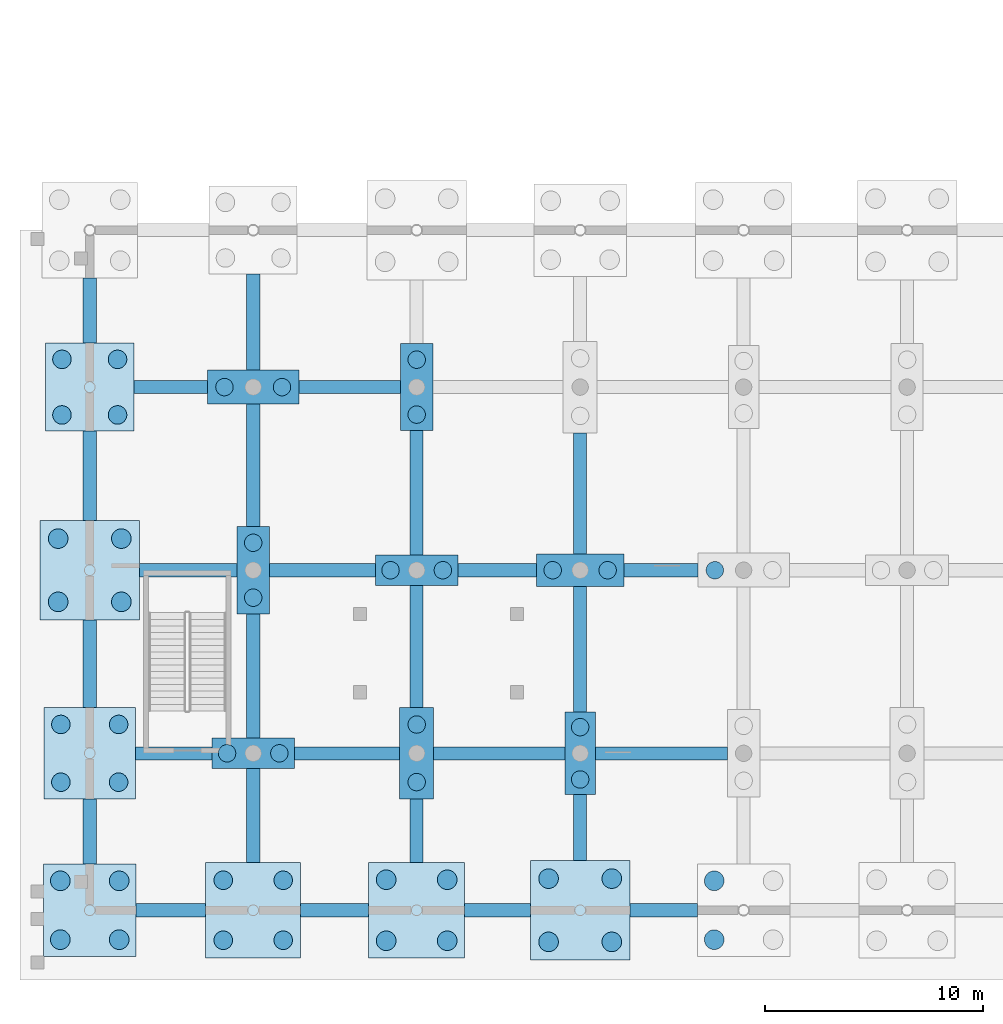
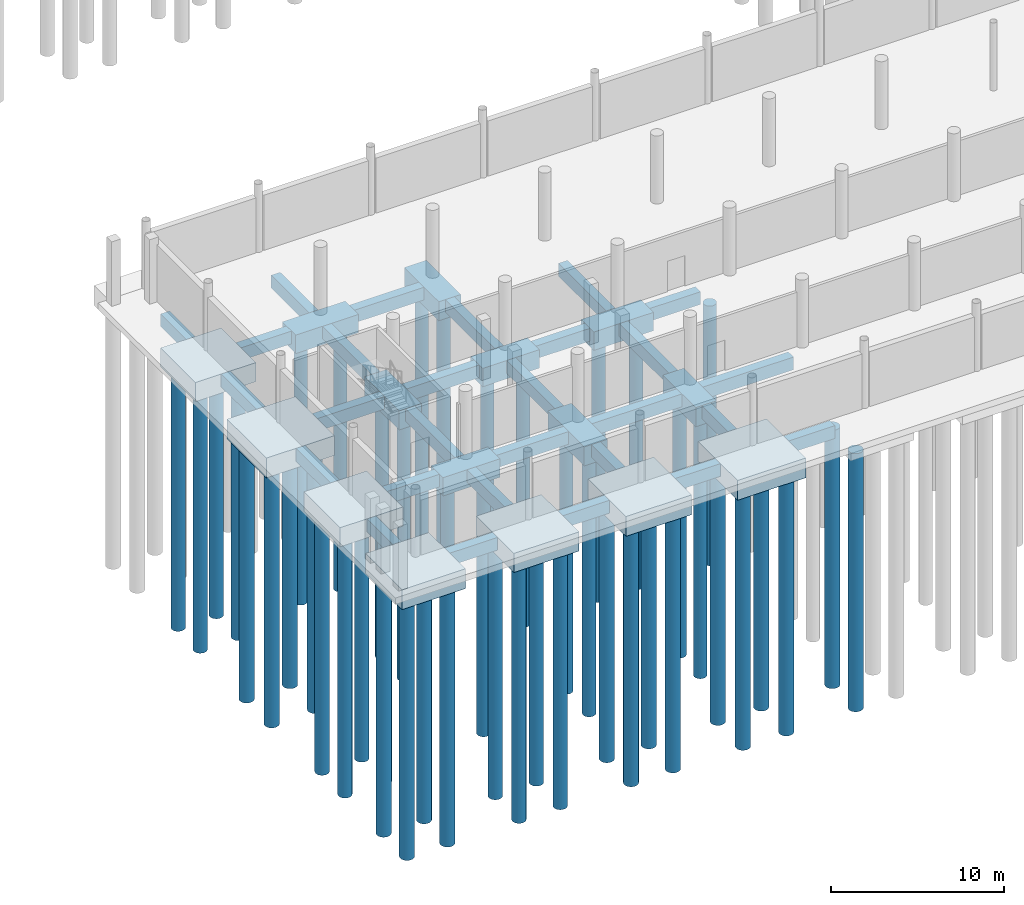
# One storey, part 1 of 44: 47 piles, 43 footings.
"""IFC4 building model written with IfcOpenShell, lengths in metres."""

from ifc_helpers import new_model, si_unit, direction, frame, origin, origin_2d, place, context, subcontext, project, spatial, polyline, rectangle, circle, outline, extrude, material, material_profile, profile_set, type_object, element, save


model = new_model("IFC4")

# Units and contexts
model_context = context("Model", 3, precision=1e-05, world=origin(), true_north=direction((0.0, 1.0)))
body_context = subcontext(model_context, "Body", "Model", "MODEL_VIEW")
ifc_project = project(units=[si_unit("LENGTHUNIT", "METRE"), si_unit("AREAUNIT", "SQUARE_METRE"), si_unit("VOLUMEUNIT", "CUBIC_METRE"), si_unit("PLANEANGLEUNIT", "RADIAN"), si_unit("MASSUNIT", "GRAM", prefix="KILO")], contexts=[model_context])

# Site, building, storey
site_placement = place(None, origin())
site = spatial("IfcSite", under=ifc_project, at=site_placement, CompositionType="ELEMENT")
building_placement = place(site_placement, origin())
building = spatial("IfcBuilding", under=site, at=building_placement, Name="Yukiwa Park Conservatory and Herbarium", CompositionType="ELEMENT")
storey_placement = place(building_placement, frame((0.0, 0.0, -4.800048828125)))
storey = spatial("IfcBuildingStorey", under=building, at=storey_placement, Name="B1", CompositionType="ELEMENT", Elevation=-4.800048828125)

# Footings
ifc_material_1 = material(Name="Concrete C35", Category="concrete")
footing_type_1 = type_object("IfcFootingType", Name="FT-BEAM-600X900", PredefinedType="FOOTING_BEAM", material=ifc_material_1)
footing_1_placement = place(storey_placement, frame((0.0, 0.0, -1.349853515625)))
element("IfcFooting", 1, at=footing_1_placement, inside=storey, type_object=footing_type_1, Name="Foundation tie beam X-1", PredefinedType="FOOTING_BEAM", context=body_context, shape_type="SweptSolid", body=[
    extrude(outline(polyline([(2.1201171875, -0.300048828125), (5.320068359375, -0.300048828125), (5.320068359375, 0.300048828125), (2.1201171875, 0.300048828125), (2.1201171875, -0.300048828125)])), origin(), (0.0, 0.0, 1.0), 0.89990234375),
])
footing_2_placement = place(storey_placement, frame((0.0, 0.0, -1.349853515625)))
element("IfcFooting", 2, at=footing_2_placement, inside=storey, type_object=footing_type_1, Name="Foundation tie beam X-2", PredefinedType="FOOTING_BEAM", context=body_context, shape_type="SweptSolid", body=[
    extrude(outline(polyline([(9.679931640625, -0.300048828125), (12.800048828125, -0.300048828125), (12.800048828125, 0.300048828125), (9.679931640625, 0.300048828125), (9.679931640625, -0.300048828125)])), origin(), (0.0, 0.0, 1.0), 0.89990234375),
])
footing_3_placement = place(storey_placement, frame((0.0, 0.0, -1.349853515625)))
element("IfcFooting", 3, at=footing_3_placement, inside=storey, type_object=footing_type_1, Name="Foundation tie beam X-3", PredefinedType="FOOTING_BEAM", context=body_context, shape_type="SweptSolid", body=[
    extrude(outline(polyline([(17.199951171875, -0.300048828125), (20.219970703125, -0.300048828125), (20.219970703125, 0.300048828125), (17.199951171875, 0.300048828125), (17.199951171875, -0.300048828125)])), origin(), (0.0, 0.0, 1.0), 0.89990234375),
])
footing_4_placement = place(storey_placement, frame((0.0, 0.0, -1.349853515625)))
element("IfcFooting", 4, at=footing_4_placement, inside=storey, type_object=footing_type_1, Name="Foundation tie beam X-4", PredefinedType="FOOTING_BEAM", context=body_context, shape_type="SweptSolid", body=[
    extrude(outline(polyline([(24.780029296875, -0.300048828125), (27.8798828125, -0.300048828125), (27.8798828125, 0.300048828125), (24.780029296875, 0.300048828125), (24.780029296875, -0.300048828125)])), origin(), (0.0, 0.0, 1.0), 0.89990234375),
])
footing_5_placement = place(storey_placement, frame((0.0, 0.0, -1.349853515625)))
element("IfcFooting", 5, at=footing_5_placement, inside=storey, type_object=footing_type_1, Name="Foundation tie beam X-9", PredefinedType="FOOTING_BEAM", context=body_context, shape_type="SweptSolid", body=[
    extrude(outline(polyline([(2.10009765625, 6.89990234375), (5.60009765625, 6.89990234375), (5.60009765625, 7.5), (2.10009765625, 7.5), (2.10009765625, 6.89990234375)])), origin(), (0.0, 0.0, 1.0), 0.89990234375),
])
footing_6_placement = place(storey_placement, frame((0.0, 0.0, -1.349853515625)))
element("IfcFooting", 6, at=footing_6_placement, inside=storey, type_object=footing_type_1, Name="Foundation tie beam X-10", PredefinedType="FOOTING_BEAM", context=body_context, shape_type="SweptSolid", body=[
    extrude(outline(polyline([(9.39990234375, 6.89990234375), (14.219970703125, 6.89990234375), (14.219970703125, 7.5), (9.39990234375, 7.5), (9.39990234375, 6.89990234375)])), origin(), (0.0, 0.0, 1.0), 0.89990234375),
])
footing_7_placement = place(storey_placement, frame((0.0, 0.0, -1.349853515625)))
element("IfcFooting", 7, at=footing_7_placement, inside=storey, type_object=footing_type_1, Name="Foundation tie beam X-11", PredefinedType="FOOTING_BEAM", context=body_context, shape_type="SweptSolid", body=[
    extrude(outline(polyline([(15.780029296875, 6.89990234375), (21.800048828125, 6.89990234375), (21.800048828125, 7.5), (15.780029296875, 7.5), (15.780029296875, 6.89990234375)])), origin(), (0.0, 0.0, 1.0), 0.89990234375),
])
footing_8_placement = place(storey_placement, frame((0.0, 0.0, -1.349853515625)))
element("IfcFooting", 8, at=footing_8_placement, inside=storey, type_object=footing_type_1, Name="Foundation tie beam X-12", PredefinedType="FOOTING_BEAM", context=body_context, shape_type="SweptSolid", body=[
    extrude(outline(polyline([(23.199951171875, 6.89990234375), (29.260009765625, 6.89990234375), (29.260009765625, 7.5), (23.199951171875, 7.5), (23.199951171875, 6.89990234375)])), origin(), (0.0, 0.0, 1.0), 0.89990234375),
])
footing_9_placement = place(storey_placement, frame((0.0, 0.0, -1.349853515625)))
element("IfcFooting", 9, at=footing_9_placement, inside=storey, type_object=footing_type_1, Name="Foundation tie beam X-17", PredefinedType="FOOTING_BEAM", context=body_context, shape_type="SweptSolid", body=[
    extrude(outline(polyline([(2.280029296875, 15.300048828125), (6.760009765625, 15.300048828125), (6.760009765625, 15.89990234375), (2.280029296875, 15.89990234375), (2.280029296875, 15.300048828125)])), origin(), (0.0, 0.0, 1.0), 0.89990234375),
])
footing_10_placement = place(storey_placement, frame((0.0, 0.0, -1.349853515625)))
element("IfcFooting", 10, at=footing_10_placement, inside=storey, type_object=footing_type_1, Name="Foundation tie beam X-18", PredefinedType="FOOTING_BEAM", context=body_context, shape_type="SweptSolid", body=[
    extrude(outline(polyline([(8.239990234375, 15.300048828125), (13.10009765625, 15.300048828125), (13.10009765625, 15.89990234375), (8.239990234375, 15.89990234375), (8.239990234375, 15.300048828125)])), origin(), (0.0, 0.0, 1.0), 0.89990234375),
])
footing_11_placement = place(storey_placement, frame((0.0, 0.0, -1.349853515625)))
element("IfcFooting", 11, at=footing_11_placement, inside=storey, type_object=footing_type_1, Name="Foundation tie beam X-19", PredefinedType="FOOTING_BEAM", context=body_context, shape_type="SweptSolid", body=[
    extrude(outline(polyline([(16.89990234375, 15.300048828125), (20.5, 15.300048828125), (20.5, 15.89990234375), (16.89990234375, 15.89990234375), (16.89990234375, 15.300048828125)])), origin(), (0.0, 0.0, 1.0), 0.89990234375),
])
footing_12_placement = place(storey_placement, frame((0.0, 0.0, -1.349853515625)))
element("IfcFooting", 12, at=footing_12_placement, inside=storey, type_object=footing_type_1, Name="Foundation tie beam X-20", PredefinedType="FOOTING_BEAM", context=body_context, shape_type="SweptSolid", body=[
    extrude(outline(polyline([(24.5, 15.300048828125), (27.89990234375, 15.300048828125), (27.89990234375, 15.89990234375), (24.5, 15.89990234375), (24.5, 15.300048828125)])), origin(), (0.0, 0.0, 1.0), 0.89990234375),
])
footing_13_placement = place(storey_placement, frame((0.0, 0.0, -1.349853515625)))
element("IfcFooting", 13, at=footing_13_placement, inside=storey, type_object=footing_type_1, Name="Foundation tie beam X-31", PredefinedType="FOOTING_BEAM", context=body_context, shape_type="SweptSolid", body=[
    extrude(outline(polyline([(2.02001953125, 23.699951171875), (5.39990234375, 23.699951171875), (5.39990234375, 24.300048828125), (2.02001953125, 24.300048828125), (2.02001953125, 23.699951171875)])), origin(), (0.0, 0.0, 1.0), 0.89990234375),
])
footing_14_placement = place(storey_placement, frame((0.0, 0.0, -1.349853515625)))
element("IfcFooting", 14, at=footing_14_placement, inside=storey, type_object=footing_type_1, Name="Foundation tie beam X-32", PredefinedType="FOOTING_BEAM", context=body_context, shape_type="SweptSolid", body=[
    extrude(outline(polyline([(9.60009765625, 23.699951171875), (14.260009765625, 23.699951171875), (14.260009765625, 24.300048828125), (9.60009765625, 24.300048828125), (9.60009765625, 23.699951171875)])), origin(), (0.0, 0.0, 1.0), 0.89990234375),
])
footing_15_placement = place(storey_placement, frame((0.0, 0.0, -1.349853515625)))
element("IfcFooting", 15, at=footing_15_placement, inside=storey, type_object=footing_type_1, Name="Foundation tie beam Y-160", PredefinedType="FOOTING_BEAM", context=body_context, shape_type="SweptSolid", body=[
    extrude(outline(polyline([(-0.300048828125, 2.1201171875), (0.300048828125, 2.1201171875), (0.300048828125, 5.10009765625), (-0.300048828125, 5.10009765625), (-0.300048828125, 2.1201171875)])), origin(), (0.0, 0.0, 1.0), 0.89990234375),
])
footing_16_placement = place(storey_placement, frame((0.0, 0.0, -1.349853515625)))
element("IfcFooting", 16, at=footing_16_placement, inside=storey, type_object=footing_type_1, Name="Foundation tie beam Y-161", PredefinedType="FOOTING_BEAM", context=body_context, shape_type="SweptSolid", body=[
    extrude(outline(polyline([(-0.300048828125, 9.300048828125), (0.300048828125, 9.300048828125), (0.300048828125, 13.320068359375), (-0.300048828125, 13.320068359375), (-0.300048828125, 9.300048828125)])), origin(), (0.0, 0.0, 1.0), 0.89990234375),
])
footing_17_placement = place(storey_placement, frame((0.0, 0.0, -1.349853515625)))
element("IfcFooting", 17, at=footing_17_placement, inside=storey, type_object=footing_type_1, Name="Foundation tie beam Y-162", PredefinedType="FOOTING_BEAM", context=body_context, shape_type="SweptSolid", body=[
    extrude(outline(polyline([(-0.300048828125, 17.8798828125), (0.300048828125, 17.8798828125), (0.300048828125, 21.97998046875), (-0.300048828125, 21.97998046875), (-0.300048828125, 17.8798828125)])), origin(), (0.0, 0.0, 1.0), 0.89990234375),
])
footing_18_placement = place(storey_placement, frame((0.0, 0.0, -1.349853515625)))
element("IfcFooting", 18, at=footing_18_placement, inside=storey, type_object=footing_type_1, Name="Foundation tie beam Y-163", PredefinedType="FOOTING_BEAM", context=body_context, shape_type="SweptSolid", body=[
    extrude(outline(polyline([(-0.300048828125, 26.02001953125), (0.300048828125, 26.02001953125), (0.300048828125, 29.0), (-0.300048828125, 29.0), (-0.300048828125, 26.02001953125)])), origin(), (0.0, 0.0, 1.0), 0.89990234375),
])
footing_19_placement = place(storey_placement, frame((0.0, 0.0, -1.349853515625)))
element("IfcFooting", 19, at=footing_19_placement, inside=storey, type_object=footing_type_1, Name="Foundation tie beam Y-164", PredefinedType="FOOTING_BEAM", context=body_context, shape_type="SweptSolid", body=[
    extrude(outline(polyline([(7.199951171875, 2.179931640625), (7.800048828125, 2.179931640625), (7.800048828125, 6.5), (7.199951171875, 6.5), (7.199951171875, 2.179931640625)])), origin(), (0.0, 0.0, 1.0), 0.89990234375),
])
footing_20_placement = place(storey_placement, frame((0.0, 0.0, -1.349853515625)))
element("IfcFooting", 20, at=footing_20_placement, inside=storey, type_object=footing_type_1, Name="Foundation tie beam Y-165", PredefinedType="FOOTING_BEAM", context=body_context, shape_type="SweptSolid", body=[
    extrude(outline(polyline([(7.199951171875, 7.89990234375), (7.800048828125, 7.89990234375), (7.800048828125, 13.60009765625), (7.199951171875, 13.60009765625), (7.199951171875, 7.89990234375)])), origin(), (0.0, 0.0, 1.0), 0.89990234375),
])
footing_21_placement = place(storey_placement, frame((0.0, 0.0, -1.349853515625)))
element("IfcFooting", 21, at=footing_21_placement, inside=storey, type_object=footing_type_1, Name="Foundation tie beam Y-166", PredefinedType="FOOTING_BEAM", context=body_context, shape_type="SweptSolid", body=[
    extrude(outline(polyline([(7.199951171875, 17.60009765625), (7.800048828125, 17.60009765625), (7.800048828125, 23.219970703125), (7.199951171875, 23.219970703125), (7.199951171875, 17.60009765625)])), origin(), (0.0, 0.0, 1.0), 0.89990234375),
])
footing_22_placement = place(storey_placement, frame((0.0, 0.0, -1.349853515625)))
element("IfcFooting", 22, at=footing_22_placement, inside=storey, type_object=footing_type_1, Name="Foundation tie beam Y-167", PredefinedType="FOOTING_BEAM", context=body_context, shape_type="SweptSolid", body=[
    extrude(outline(polyline([(7.199951171875, 24.780029296875), (7.800048828125, 24.780029296875), (7.800048828125, 29.179931640625), (7.199951171875, 29.179931640625), (7.199951171875, 24.780029296875)])), origin(), (0.0, 0.0, 1.0), 0.89990234375),
])
footing_23_placement = place(storey_placement, frame((0.0, 0.0, -1.349853515625)))
element("IfcFooting", 23, at=footing_23_placement, inside=storey, type_object=footing_type_1, Name="Foundation tie beam Y-168", PredefinedType="FOOTING_BEAM", context=body_context, shape_type="SweptSolid", body=[
    extrude(outline(polyline([(14.699951171875, 2.199951171875), (15.300048828125, 2.199951171875), (15.300048828125, 5.10009765625), (14.699951171875, 5.10009765625), (14.699951171875, 2.199951171875)])), origin(), (0.0, 0.0, 1.0), 0.89990234375),
])
footing_24_placement = place(storey_placement, frame((0.0, 0.0, -1.349853515625)))
element("IfcFooting", 24, at=footing_24_placement, inside=storey, type_object=footing_type_1, Name="Foundation tie beam Y-169", PredefinedType="FOOTING_BEAM", context=body_context, shape_type="SweptSolid", body=[
    extrude(outline(polyline([(14.699951171875, 9.300048828125), (15.300048828125, 9.300048828125), (15.300048828125, 14.89990234375), (14.699951171875, 14.89990234375), (14.699951171875, 9.300048828125)])), origin(), (0.0, 0.0, 1.0), 0.89990234375),
])
footing_25_placement = place(storey_placement, frame((0.0, 0.0, -1.349853515625)))
element("IfcFooting", 25, at=footing_25_placement, inside=storey, type_object=footing_type_1, Name="Foundation tie beam Y-170", PredefinedType="FOOTING_BEAM", context=body_context, shape_type="SweptSolid", body=[
    extrude(outline(polyline([(14.699951171875, 16.300048828125), (15.300048828125, 16.300048828125), (15.300048828125, 22.0), (14.699951171875, 22.0), (14.699951171875, 16.300048828125)])), origin(), (0.0, 0.0, 1.0), 0.89990234375),
])
footing_26_placement = place(storey_placement, frame((0.0, 0.0, -1.349853515625)))
element("IfcFooting", 26, at=footing_26_placement, inside=storey, type_object=footing_type_1, Name="Foundation tie beam Y-176", PredefinedType="FOOTING_BEAM", context=body_context, shape_type="SweptSolid", body=[
    extrude(outline(polyline([(22.199951171875, 2.280029296875), (22.800048828125, 2.280029296875), (22.800048828125, 5.300048828125), (22.199951171875, 5.300048828125), (22.199951171875, 2.280029296875)])), origin(), (0.0, 0.0, 1.0), 0.89990234375),
])
footing_27_placement = place(storey_placement, frame((0.0, 0.0, -1.349853515625)))
element("IfcFooting", 27, at=footing_27_placement, inside=storey, type_object=footing_type_1, Name="Foundation tie beam Y-177", PredefinedType="FOOTING_BEAM", context=body_context, shape_type="SweptSolid", body=[
    extrude(outline(polyline([(22.199951171875, 9.10009765625), (22.800048828125, 9.10009765625), (22.800048828125, 14.860107421875), (22.199951171875, 14.860107421875), (22.199951171875, 9.10009765625)])), origin(), (0.0, 0.0, 1.0), 0.89990234375),
])
footing_28_placement = place(storey_placement, frame((0.0, 0.0, -1.349853515625)))
element("IfcFooting", 28, at=footing_28_placement, inside=storey, type_object=footing_type_1, Name="Foundation tie beam Y-178", PredefinedType="FOOTING_BEAM", context=body_context, shape_type="SweptSolid", body=[
    extrude(outline(polyline([(22.199951171875, 16.340087890625), (22.800048828125, 16.340087890625), (22.800048828125, 21.89990234375), (22.199951171875, 21.89990234375), (22.199951171875, 16.340087890625)])), origin(), (0.0, 0.0, 1.0), 0.89990234375),
])
ifc_material_2 = material(Name="Concrete C35", Category="concrete")
footing_type_2 = type_object("IfcFootingType", Name="FT-PC-1400X3800X1350", PredefinedType="PILE_CAP", material=ifc_material_2)
footing_29_placement = place(storey_placement, frame((22.5, 7.199951171875, -1.800048828125), z_axis=(0.0, 0.0, 1.0), x_axis=(1.0, 0.0, 0.0)))
element("IfcFooting", 29, at=footing_29_placement, inside=storey, type_object=footing_type_2, Name="Reinforced concrete pile cap 22", PredefinedType="PILE_CAP", context=body_context, shape_type="SweptSolid", body=[
    extrude(rectangle(XDim=1.39990234375, YDim=3.800048828125, at=origin_2d()), origin(), (0.0, 0.0, 1.0), 1.35009765625),
])
ifc_material_3 = material(Name="Concrete C35", Category="concrete")
footing_type_3 = type_object("IfcFootingType", Name="FT-PC-1480X4000X1350", PredefinedType="PILE_CAP", material=ifc_material_3)
for number, where, z_axis, x_axis, name in (
    (30, (7.5, 15.60009765625, -1.800048828125), (0.0, 0.0, 1.0), (1.0, 0.0, 0.0), "Reinforced concrete pile cap 8"),
    (31, (15.0, 24.0, -1.800048828125), (0.0, 0.0, 1.0), (1.0, 0.0, 0.0), "Reinforced concrete pile cap 14"),
):
    element("IfcFooting", number, at=place(storey_placement, frame(where, z_axis=z_axis, x_axis=x_axis)), inside=storey, type_object=footing_type_3, Name=name, PredefinedType="PILE_CAP", context=body_context, shape_type="SweptSolid", body=[
        extrude(rectangle(XDim=1.47998046875, YDim=4.0, at=origin_2d()), origin(), (0.0, 0.0, 1.0), 1.35009765625),
    ])
ifc_material_4 = material(Name="Concrete C35", Category="concrete")
footing_type_4 = type_object("IfcFootingType", Name="FT-PC-1560X4200X1350", PredefinedType="PILE_CAP", material=ifc_material_4)
footing_30_placement = place(storey_placement, frame((15.0, 7.199951171875, -1.800048828125), z_axis=(0.0, 0.0, 1.0), x_axis=(1.0, 0.0, 0.0)))
element("IfcFooting", 32, at=footing_30_placement, inside=storey, type_object=footing_type_4, Name="Reinforced concrete pile cap 12", PredefinedType="PILE_CAP", context=body_context, shape_type="SweptSolid", body=[
    extrude(rectangle(XDim=1.56005859375, YDim=4.199951171875, at=origin_2d()), origin(), (0.0, 0.0, 1.0), 1.35009765625),
])
ifc_material_5 = material(Name="Concrete C35", Category="concrete")
footing_type_5 = type_object("IfcFootingType", Name="FT-PC-3800X1400X1300", PredefinedType="PILE_CAP", material=ifc_material_5)
for number, where, z_axis, x_axis, name in (
    (33, (7.5, 7.199951171875, -1.75), (0.0, 0.0, 1.0), (1.0, 0.0, 0.0), "Reinforced concrete pile cap 7"),
    (34, (15.0, 15.60009765625, -1.75), (0.0, 0.0, 1.0), (1.0, 0.0, 0.0), "Reinforced concrete pile cap 13"),
):
    element("IfcFooting", number, at=place(storey_placement, frame(where, z_axis=z_axis, x_axis=x_axis)), inside=storey, type_object=footing_type_5, Name=name, PredefinedType="PILE_CAP", context=body_context, shape_type="SweptSolid", body=[
        extrude(rectangle(XDim=3.800048828125, YDim=1.39990234375, at=origin_2d()), origin(), (0.0, 0.0, 1.0), 1.300048828125),
    ])
ifc_material_6 = material(Name="Concrete C35", Category="concrete")
footing_type_6 = type_object("IfcFootingType", Name="FT-PC-4000X1480X1300", PredefinedType="PILE_CAP", material=ifc_material_6)
footing_31_placement = place(storey_placement, frame((22.5, 15.60009765625, -1.75), z_axis=(0.0, 0.0, 1.0), x_axis=(1.0, 0.0, 0.0)))
element("IfcFooting", 35, at=footing_31_placement, inside=storey, type_object=footing_type_6, Name="Reinforced concrete pile cap 23", PredefinedType="PILE_CAP", context=body_context, shape_type="SweptSolid", body=[
    extrude(rectangle(XDim=4.0, YDim=1.47998046875, at=origin_2d()), origin(), (0.0, 0.0, 1.0), 1.300048828125),
])
ifc_material_7 = material(Name="Concrete C35", Category="concrete")
footing_type_7 = type_object("IfcFootingType", Name="FT-PC-4040X4040X1350", PredefinedType="PILE_CAP", material=ifc_material_7)
footing_32_placement = place(storey_placement, frame((0.0, 24.0, -1.800048828125), z_axis=(0.0, 0.0, 1.0), x_axis=(1.0, 0.0, 0.0)))
element("IfcFooting", 36, at=footing_32_placement, inside=storey, type_object=footing_type_7, Name="Reinforced concrete pile cap 4", PredefinedType="PILE_CAP", context=body_context, shape_type="SweptSolid", body=[
    extrude(rectangle(XDim=4.0400390625, YDim=4.0400390625, at=origin_2d()), origin(), (0.0, 0.0, 1.0), 1.35009765625),
])
ifc_material_8 = material(Name="Concrete C35", Category="concrete")
footing_type_8 = type_object("IfcFootingType", Name="FT-PC-4200X1560X1300", PredefinedType="PILE_CAP", material=ifc_material_8)
footing_33_placement = place(storey_placement, frame((7.5, 24.0, -1.75), z_axis=(0.0, 0.0, 1.0), x_axis=(1.0, 0.0, 0.0)))
element("IfcFooting", 37, at=footing_33_placement, inside=storey, type_object=footing_type_8, Name="Reinforced concrete pile cap 9", PredefinedType="PILE_CAP", context=body_context, shape_type="SweptSolid", body=[
    extrude(rectangle(XDim=4.199951171875, YDim=1.56005859375, at=origin_2d()), origin(), (0.0, 0.0, 1.0), 1.300048828125),
])
ifc_material_9 = material(Name="Concrete C35", Category="concrete")
footing_type_9 = type_object("IfcFootingType", Name="FT-PC-4200X4200X1350", PredefinedType="PILE_CAP", material=ifc_material_9)
footing_34_placement = place(storey_placement, frame((0.0, 7.199951171875, -1.800048828125), z_axis=(0.0, 0.0, 1.0), x_axis=(1.0, 0.0, 0.0)))
element("IfcFooting", 38, at=footing_34_placement, inside=storey, type_object=footing_type_9, Name="Reinforced concrete pile cap 2", PredefinedType="PILE_CAP", context=body_context, shape_type="SweptSolid", body=[
    extrude(rectangle(XDim=4.199951171875, YDim=4.199951171875, at=origin_2d()), origin(), (0.0, 0.0, 1.0), 1.35009765625),
])
ifc_material_10 = material(Name="Concrete C35", Category="concrete")
footing_type_10 = type_object("IfcFootingType", Name="FT-PC-4240X4240X1400", PredefinedType="PILE_CAP", material=ifc_material_10)
footing_35_placement = place(storey_placement, frame((0.0, 0.0, -1.849853515625), z_axis=(0.0, 0.0, 1.0), x_axis=(1.0, 0.0, 0.0)))
element("IfcFooting", 39, at=footing_35_placement, inside=storey, type_object=footing_type_10, Name="Reinforced concrete pile cap 1", PredefinedType="PILE_CAP", context=body_context, shape_type="SweptSolid", body=[
    extrude(rectangle(XDim=4.239990234375, YDim=4.239990234375, at=origin_2d()), origin(), (0.0, 0.0, 1.0), 1.39990234375),
])
ifc_material_11 = material(Name="Concrete C35", Category="concrete")
footing_type_11 = type_object("IfcFootingType", Name="FT-PC-4360X4360X1350", PredefinedType="PILE_CAP", material=ifc_material_11)
footing_36_placement = place(storey_placement, frame((7.5, 0.0, -1.800048828125), z_axis=(0.0, 0.0, 1.0), x_axis=(1.0, 0.0, 0.0)))
element("IfcFooting", 40, at=footing_36_placement, inside=storey, type_object=footing_type_11, Name="Reinforced concrete pile cap 6", PredefinedType="PILE_CAP", context=body_context, shape_type="SweptSolid", body=[
    extrude(rectangle(XDim=4.360107421875, YDim=4.360107421875, at=origin_2d()), origin(), (0.0, 0.0, 1.0), 1.35009765625),
])
ifc_material_12 = material(Name="Concrete C35", Category="concrete")
footing_type_12 = type_object("IfcFootingType", Name="FT-PC-4400X4400X1400", PredefinedType="PILE_CAP", material=ifc_material_12)
footing_37_placement = place(storey_placement, frame((15.0, 0.0, -1.849853515625), z_axis=(0.0, 0.0, 1.0), x_axis=(1.0, 0.0, 0.0)))
element("IfcFooting", 41, at=footing_37_placement, inside=storey, type_object=footing_type_12, Name="Reinforced concrete pile cap 11", PredefinedType="PILE_CAP", context=body_context, shape_type="SweptSolid", body=[
    extrude(rectangle(XDim=4.39990234375, YDim=4.39990234375, at=origin_2d()), origin(), (0.0, 0.0, 1.0), 1.39990234375),
])
ifc_material_13 = material(Name="Concrete C35", Category="concrete")
footing_type_13 = type_object("IfcFootingType", Name="FT-PC-4560X4560X1400", PredefinedType="PILE_CAP", material=ifc_material_13)
for number, where, z_axis, x_axis, name in (
    (42, (0.0, 15.60009765625, -1.849853515625), (0.0, 0.0, 1.0), (1.0, 0.0, 0.0), "Reinforced concrete pile cap 3"),
    (43, (22.5, 0.0, -1.849853515625), (0.0, 0.0, 1.0), (1.0, 0.0, 0.0), "Reinforced concrete pile cap 21"),
):
    element("IfcFooting", number, at=place(storey_placement, frame(where, z_axis=z_axis, x_axis=x_axis)), inside=storey, type_object=footing_type_13, Name=name, PredefinedType="PILE_CAP", context=body_context, shape_type="SweptSolid", body=[
        extrude(rectangle(XDim=4.56005859375, YDim=4.56005859375, at=origin_2d()), origin(), (0.0, 0.0, 1.0), 1.39990234375),
    ])

# Piles
ifc_material_14 = material(Name="Concrete C35", Category="concrete")
ifc_material_profile_1 = material_profile(ifc_material_14, circle(Radius=0.39990234375, at=origin_2d()), Name="PILE D800")
ifc_profile_set_1 = profile_set([ifc_material_profile_1], Name="Concrete C35")
pile_type_1 = type_object("IfcPileType", Name="PL-BORED-D800", PredefinedType="BORED", material=ifc_profile_set_1)
for number, where, z_axis, x_axis, name in (
    (44, (6.300048828125, 7.199951171875, -1.64990234375), (0.0, 0.0, -1.0), (1.0, 0.0, 0.0), "Bored cast-in-place pile 7.1"),
    (45, (8.699951171875, 7.199951171875, -1.64990234375), (0.0, 0.0, -1.0), (1.0, 0.0, 0.0), "Bored cast-in-place pile 7.2"),
):
    element("IfcPile", number, at=place(storey_placement, frame(where, z_axis=z_axis, x_axis=x_axis)), inside=storey, type_object=pile_type_1, Name=name, PredefinedType="BORED", context=body_context, shape_type="SweptSolid", body=[
        extrude(circle(Radius=0.39990234375, at=origin_2d()), origin(), (0.0, 0.0, 1.0), 18.35009765625),
    ])
for number, where, z_axis, x_axis, name in (
    (46, (7.5, 14.340087890625, -1.699951171875), (0.0, 0.0, -1.0), (1.0, 0.0, 0.0), "Bored cast-in-place pile 8.1"),
    (47, (7.5, 16.860107421875, -1.699951171875), (0.0, 0.0, -1.0), (1.0, 0.0, 0.0), "Bored cast-in-place pile 8.2"),
):
    element("IfcPile", number, at=place(storey_placement, frame(where, z_axis=z_axis, x_axis=x_axis)), inside=storey, type_object=pile_type_1, Name=name, PredefinedType="BORED", context=body_context, shape_type="SweptSolid", body=[
        extrude(circle(Radius=0.39990234375, at=origin_2d()), origin(), (0.0, 0.0, 1.0), 18.300048828125),
    ])
for number, where, z_axis, x_axis, name in (
    (48, (6.179931640625, 24.0, -1.64990234375), (0.0, 0.0, -1.0), (1.0, 0.0, 0.0), "Bored cast-in-place pile 9.1"),
    (49, (8.820068359375, 24.0, -1.64990234375), (0.0, 0.0, -1.0), (1.0, 0.0, 0.0), "Bored cast-in-place pile 9.2"),
):
    element("IfcPile", number, at=place(storey_placement, frame(where, z_axis=z_axis, x_axis=x_axis)), inside=storey, type_object=pile_type_1, Name=name, PredefinedType="BORED", context=body_context, shape_type="SweptSolid", body=[
        extrude(circle(Radius=0.39990234375, at=origin_2d()), origin(), (0.0, 0.0, 1.0), 18.35009765625),
    ])
for number, where, z_axis, x_axis, name in (
    (50, (15.0, 5.8798828125, -1.699951171875), (0.0, 0.0, -1.0), (1.0, 0.0, 0.0), "Bored cast-in-place pile 12.1"),
    (51, (15.0, 8.52001953125, -1.699951171875), (0.0, 0.0, -1.0), (1.0, 0.0, 0.0), "Bored cast-in-place pile 12.2"),
):
    element("IfcPile", number, at=place(storey_placement, frame(where, z_axis=z_axis, x_axis=x_axis)), inside=storey, type_object=pile_type_1, Name=name, PredefinedType="BORED", context=body_context, shape_type="SweptSolid", body=[
        extrude(circle(Radius=0.39990234375, at=origin_2d()), origin(), (0.0, 0.0, 1.0), 18.300048828125),
    ])
for number, where, z_axis, x_axis, name in (
    (52, (13.800048828125, 15.60009765625, -1.64990234375), (0.0, 0.0, -1.0), (1.0, 0.0, 0.0), "Bored cast-in-place pile 13.1"),
    (53, (16.199951171875, 15.60009765625, -1.64990234375), (0.0, 0.0, -1.0), (1.0, 0.0, 0.0), "Bored cast-in-place pile 13.2"),
):
    element("IfcPile", number, at=place(storey_placement, frame(where, z_axis=z_axis, x_axis=x_axis)), inside=storey, type_object=pile_type_1, Name=name, PredefinedType="BORED", context=body_context, shape_type="SweptSolid", body=[
        extrude(circle(Radius=0.39990234375, at=origin_2d()), origin(), (0.0, 0.0, 1.0), 18.35009765625),
    ])
for number, where, z_axis, x_axis, name in (
    (54, (15.0, 22.739990234375, -1.699951171875), (0.0, 0.0, -1.0), (1.0, 0.0, 0.0), "Bored cast-in-place pile 14.1"),
    (55, (15.0, 25.260009765625, -1.699951171875), (0.0, 0.0, -1.0), (1.0, 0.0, 0.0), "Bored cast-in-place pile 14.2"),
    (56, (22.5, 6.0, -1.699951171875), (0.0, 0.0, -1.0), (1.0, 0.0, 0.0), "Bored cast-in-place pile 22.1"),
    (57, (22.5, 8.39990234375, -1.699951171875), (0.0, 0.0, -1.0), (1.0, 0.0, 0.0), "Bored cast-in-place pile 22.2"),
):
    element("IfcPile", number, at=place(storey_placement, frame(where, z_axis=z_axis, x_axis=x_axis)), inside=storey, type_object=pile_type_1, Name=name, PredefinedType="BORED", context=body_context, shape_type="SweptSolid", body=[
        extrude(circle(Radius=0.39990234375, at=origin_2d()), origin(), (0.0, 0.0, 1.0), 18.300048828125),
    ])
for number, where, z_axis, x_axis, name in (
    (58, (21.239990234375, 15.60009765625, -1.64990234375), (0.0, 0.0, -1.0), (1.0, 0.0, 0.0), "Bored cast-in-place pile 23.1"),
    (59, (23.760009765625, 15.60009765625, -1.64990234375), (0.0, 0.0, -1.0), (1.0, 0.0, 0.0), "Bored cast-in-place pile 23.2"),
    (60, (28.679931640625, 15.60009765625, -1.64990234375), (0.0, 0.0, -1.0), (1.0, 0.0, 0.0), "Bored cast-in-place pile 33.1"),
):
    element("IfcPile", number, at=place(storey_placement, frame(where, z_axis=z_axis, x_axis=x_axis)), inside=storey, type_object=pile_type_1, Name=name, PredefinedType="BORED", context=body_context, shape_type="SweptSolid", body=[
        extrude(circle(Radius=0.39990234375, at=origin_2d()), origin(), (0.0, 0.0, 1.0), 18.35009765625),
    ])
ifc_material_15 = material(Name="Concrete C35", Category="concrete")
ifc_material_profile_2 = material_profile(ifc_material_15, circle(Radius=0.425048828125, at=origin_2d()), Name="PILE D850")
ifc_profile_set_2 = profile_set([ifc_material_profile_2], Name="Concrete C35")
pile_type_2 = type_object("IfcPileType", Name="PL-BORED-D850", PredefinedType="BORED", material=ifc_profile_set_2)
for number, where, z_axis, x_axis, name in (
    (61, (-1.324951171875, 5.875, -1.699951171875), (0.0, 0.0, -1.0), (1.0, 0.0, 0.0), "Bored cast-in-place pile 2.1"),
    (62, (1.324951171875, 5.875, -1.699951171875), (0.0, 0.0, -1.0), (1.0, 0.0, 0.0), "Bored cast-in-place pile 2.2"),
    (63, (-1.324951171875, 8.52490234375, -1.699951171875), (0.0, 0.0, -1.0), (1.0, 0.0, 0.0), "Bored cast-in-place pile 2.3"),
    (64, (1.324951171875, 8.52490234375, -1.699951171875), (0.0, 0.0, -1.0), (1.0, 0.0, 0.0), "Bored cast-in-place pile 2.4"),
    (65, (-1.27490234375, 22.72509765625, -1.699951171875), (0.0, 0.0, -1.0), (1.0, 0.0, 0.0), "Bored cast-in-place pile 4.1"),
    (66, (1.27490234375, 22.72509765625, -1.699951171875), (0.0, 0.0, -1.0), (1.0, 0.0, 0.0), "Bored cast-in-place pile 4.2"),
    (67, (-1.27490234375, 25.27490234375, -1.699951171875), (0.0, 0.0, -1.0), (1.0, 0.0, 0.0), "Bored cast-in-place pile 4.3"),
    (68, (1.27490234375, 25.27490234375, -1.699951171875), (0.0, 0.0, -1.0), (1.0, 0.0, 0.0), "Bored cast-in-place pile 4.4"),
    (69, (6.125, -1.375, -1.699951171875), (0.0, 0.0, -1.0), (1.0, 0.0, 0.0), "Bored cast-in-place pile 6.1"),
    (70, (8.875, -1.375, -1.699951171875), (0.0, 0.0, -1.0), (1.0, 0.0, 0.0), "Bored cast-in-place pile 6.2"),
    (71, (6.125, 1.375, -1.699951171875), (0.0, 0.0, -1.0), (1.0, 0.0, 0.0), "Bored cast-in-place pile 6.3"),
    (72, (8.875, 1.375, -1.699951171875), (0.0, 0.0, -1.0), (1.0, 0.0, 0.0), "Bored cast-in-place pile 6.4"),
):
    element("IfcPile", number, at=place(storey_placement, frame(where, z_axis=z_axis, x_axis=x_axis)), inside=storey, type_object=pile_type_2, Name=name, PredefinedType="BORED", context=body_context, shape_type="SweptSolid", body=[
        extrude(circle(Radius=0.425048828125, at=origin_2d()), origin(), (0.0, 0.0, 1.0), 18.300048828125),
    ])
ifc_material_16 = material(Name="Concrete C35", Category="concrete")
ifc_material_profile_3 = material_profile(ifc_material_16, circle(Radius=0.449951171875, at=origin_2d()), Name="PILE D900")
ifc_profile_set_3 = profile_set([ifc_material_profile_3], Name="Concrete C35")
pile_type_3 = type_object("IfcPileType", Name="PL-BORED-D900", PredefinedType="BORED", material=ifc_profile_set_3)
for number, where, z_axis, x_axis, name in (
    (73, (-1.35009765625, -1.35009765625, -1.75), (0.0, 0.0, -1.0), (1.0, 0.0, 0.0), "Bored cast-in-place pile 1.1"),
    (74, (1.35009765625, -1.35009765625, -1.75), (0.0, 0.0, -1.0), (1.0, 0.0, 0.0), "Bored cast-in-place pile 1.2"),
    (75, (-1.35009765625, 1.35009765625, -1.75), (0.0, 0.0, -1.0), (1.0, 0.0, 0.0), "Bored cast-in-place pile 1.3"),
    (76, (1.35009765625, 1.35009765625, -1.75), (0.0, 0.0, -1.0), (1.0, 0.0, 0.0), "Bored cast-in-place pile 1.4"),
    (77, (-1.449951171875, 14.14990234375, -1.75), (0.0, 0.0, -1.0), (1.0, 0.0, 0.0), "Bored cast-in-place pile 3.1"),
    (78, (1.449951171875, 14.14990234375, -1.75), (0.0, 0.0, -1.0), (1.0, 0.0, 0.0), "Bored cast-in-place pile 3.2"),
    (79, (-1.449951171875, 17.050048828125, -1.75), (0.0, 0.0, -1.0), (1.0, 0.0, 0.0), "Bored cast-in-place pile 3.3"),
    (80, (1.449951171875, 17.050048828125, -1.75), (0.0, 0.0, -1.0), (1.0, 0.0, 0.0), "Bored cast-in-place pile 3.4"),
    (81, (13.60009765625, -1.39990234375, -1.75), (0.0, 0.0, -1.0), (1.0, 0.0, 0.0), "Bored cast-in-place pile 11.1"),
    (82, (16.39990234375, -1.39990234375, -1.75), (0.0, 0.0, -1.0), (1.0, 0.0, 0.0), "Bored cast-in-place pile 11.2"),
    (83, (13.60009765625, 1.39990234375, -1.75), (0.0, 0.0, -1.0), (1.0, 0.0, 0.0), "Bored cast-in-place pile 11.3"),
    (84, (16.39990234375, 1.39990234375, -1.75), (0.0, 0.0, -1.0), (1.0, 0.0, 0.0), "Bored cast-in-place pile 11.4"),
    (85, (21.050048828125, -1.449951171875, -1.75), (0.0, 0.0, -1.0), (1.0, 0.0, 0.0), "Bored cast-in-place pile 21.1"),
    (86, (23.949951171875, -1.449951171875, -1.75), (0.0, 0.0, -1.0), (1.0, 0.0, 0.0), "Bored cast-in-place pile 21.2"),
    (87, (21.050048828125, 1.449951171875, -1.75), (0.0, 0.0, -1.0), (1.0, 0.0, 0.0), "Bored cast-in-place pile 21.3"),
    (88, (23.949951171875, 1.449951171875, -1.75), (0.0, 0.0, -1.0), (1.0, 0.0, 0.0), "Bored cast-in-place pile 21.4"),
    (89, (28.64990234375, -1.35009765625, -1.75), (0.0, 0.0, -1.0), (1.0, 0.0, 0.0), "Bored cast-in-place pile 31.1"),
    (90, (28.64990234375, 1.35009765625, -1.75), (0.0, 0.0, -1.0), (1.0, 0.0, 0.0), "Bored cast-in-place pile 31.3"),
):
    element("IfcPile", number, at=place(storey_placement, frame(where, z_axis=z_axis, x_axis=x_axis)), inside=storey, type_object=pile_type_3, Name=name, PredefinedType="BORED", context=body_context, shape_type="SweptSolid", body=[
        extrude(circle(Radius=0.449951171875, at=origin_2d()), origin(), (0.0, 0.0, 1.0), 18.25),
    ])

save(model, "model.ifc")
